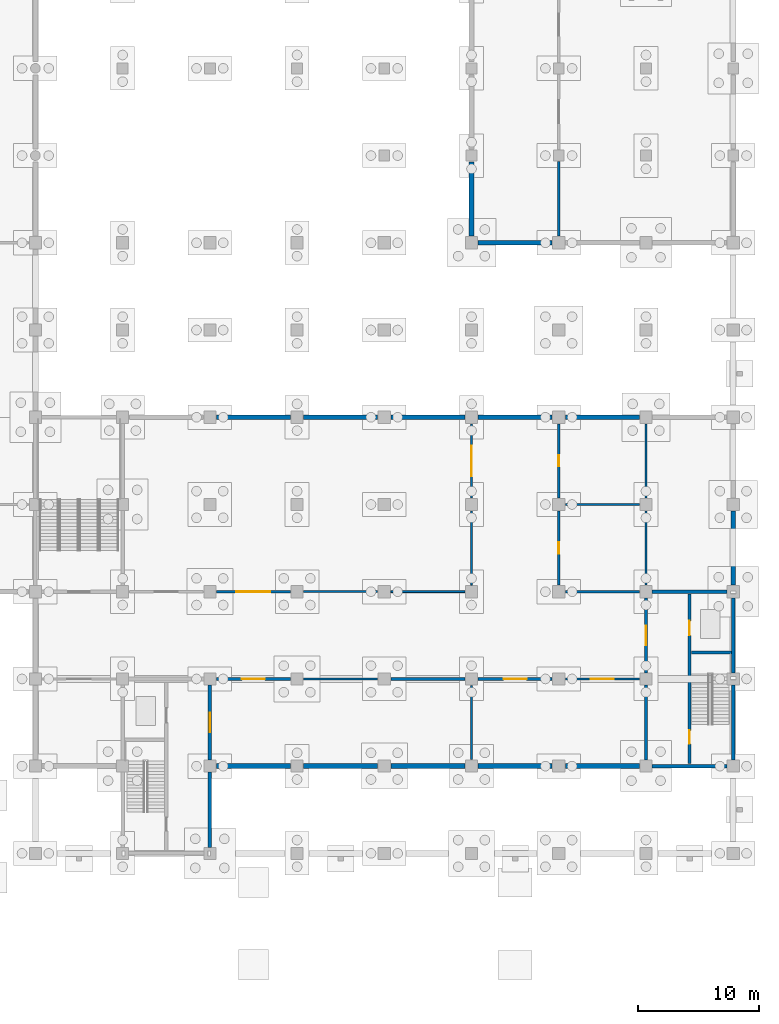
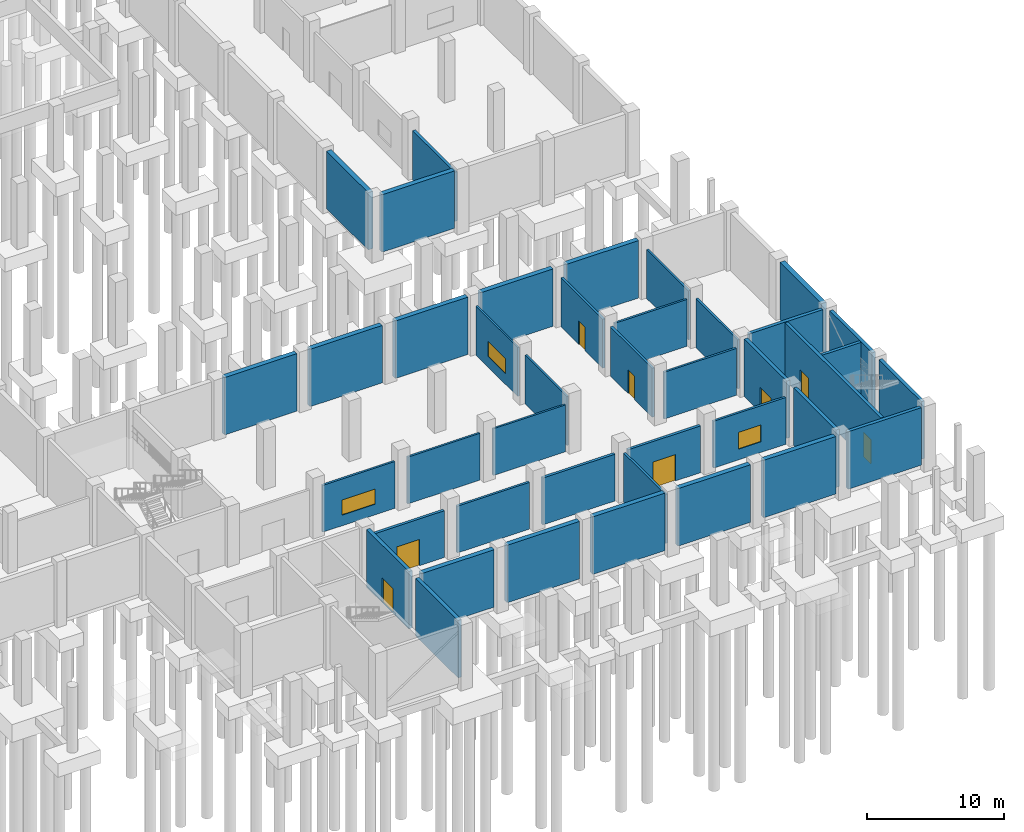
# One storey, part 24 of 35: 41 walls, 8 doors, 3 windows, 11 openings.
"""IFC4 building model written with IfcOpenShell, lengths in metres."""

from ifc_helpers import new_model, si_unit, direction, frame, frame_2d, origin, place, context, subcontext, project, spatial, rectangle, extrude, material, layer, layer_set, type_object, element, fill, save


model = new_model("IFC4")

# Units and contexts
model_context = context("Model", 3, precision=1e-05, world=origin(), true_north=direction((0.0, 1.0)))
body_context = subcontext(model_context, "Body", "Model", "MODEL_VIEW")
ifc_project = project(units=[si_unit("LENGTHUNIT", "METRE"), si_unit("AREAUNIT", "SQUARE_METRE"), si_unit("VOLUMEUNIT", "CUBIC_METRE"), si_unit("PLANEANGLEUNIT", "RADIAN"), si_unit("MASSUNIT", "GRAM", prefix="KILO")], contexts=[model_context])

# Site, building, storey
site_placement = place(None, origin())
site = spatial("IfcSite", under=ifc_project, at=site_placement, CompositionType="ELEMENT")
building_placement = place(site_placement, origin())
building = spatial("IfcBuilding", under=site, at=building_placement, Name="Vesperath Aquatics Centre", CompositionType="ELEMENT")
storey_placement = place(building_placement, frame((0.0, 0.0, -5.39990234375)))
storey = spatial("IfcBuildingStorey", under=building, at=storey_placement, Name="B1", CompositionType="ELEMENT", Elevation=-5.39990234375)

# Wall, opening, door
ifc_material_1 = material(Name="Autoclaved aerated masonry blockwork", Category="masonry")
ifc_layer_1 = layer(ifc_material_1, 0.22998046875)
ifc_layer_set_1 = layer_set([ifc_layer_1], Name="Autoclaved aerated masonry blockwork")
wall_type_1 = type_object("IfcWallType", Name="WL-FW01", PredefinedType="SOLIDWALL", material=ifc_layer_set_1)
wall_1_placement = place(storey_placement, frame((130.14990234375, 14.39990234375, 0.0), z_axis=(0.0, 0.0, 1.0), x_axis=(1.0, 0.0, 0.0)))
wall_1 = element("IfcWall", 1, at=wall_1_placement, inside=storey, type_object=wall_type_1, Name="Interior Partition FW01 B1_OZONE-N1", PredefinedType="SOLIDWALL", context=body_context, shape_type="SweptSolid", body=[
    extrude(rectangle(XDim=6.10009765625, YDim=0.22998046875, at=frame_2d((3.050048828125, 0.0))), origin(), (0.0, 0.0, 1.0), 4.169921875),
])
opening_1_placement = place(wall_1_placement, frame((2.10009765625, 0.0, 0.0)))
opening_1 = element("IfcOpeningElement", 2, at=opening_1_placement, cuts=wall_1, Name="Opening D05", PredefinedType="OPENING", context=body_context, shape_type="SweptSolid", body=[
    extrude(rectangle(XDim=1.89990234375, YDim=2.35009765625, at=frame_2d((0.949951171875, 1.175048828125))), frame((0.0, 0.1298828125, 0.0), z_axis=(0.0, -1.0, 0.0), x_axis=(1.0, 0.0, 0.0)), (0.0, 0.0, 1.0), 0.259765625),
])
ifc_material_2 = material(Name="Plant equipment double fire door", Category="steel")
door_type_1 = type_object("IfcDoorType", Name="DR-FD05", OperationType="DOUBLE_SWING_LEFT", PredefinedType="DOOR", material=ifc_material_2)
door_1_placement = place(opening_1_placement, frame((1.89990234375, 0.0, 0.0), z_axis=(0.0, 0.0, 1.0), x_axis=(-1.0, 0.0, 0.0)))
door_1 = element("IfcDoor", 3, at=door_1_placement, inside=storey, type_object=door_type_1, Name="Ozone and UV Disinfection Plant Door D05", OperationType="DOUBLE_SWING_LEFT", OverallHeight=2.35009765625, OverallWidth=1.89990234375, PredefinedType="DOOR", context=body_context, shape_type="SweptSolid", body=[
    extrude(rectangle(XDim=1.89990234375, YDim=2.35009765625, at=frame_2d((0.949951171875, 1.175048828125))), frame((0.0, 0.02490234375, 0.0), z_axis=(0.0, -1.0, 0.0), x_axis=(1.0, 0.0, 0.0)), (0.0, 0.0, 1.0), 0.050048828125),
])
fill(opening_1, door_1)

# Wall
wall_2_placement = place(storey_placement, frame((144.550048828125, 14.39990234375, 0.0), z_axis=(0.0, 0.0, 1.0), x_axis=(1.0, 0.0, 0.0)))
element("IfcWall", 4, at=wall_2_placement, inside=storey, type_object=wall_type_1, Name="Interior Partition FW01 B1_OZONE-N3", PredefinedType="SOLIDWALL", context=body_context, shape_type="SweptSolid", body=[
    extrude(rectangle(XDim=6.099853515625, YDim=0.22998046875, at=frame_2d((3.0498046875, 0.0))), origin(), (0.0, 0.0, 1.0), 4.169921875),
])

# Wall, opening, door
wall_3_placement = place(storey_placement, frame((151.75, 14.39990234375, 0.0), z_axis=(0.0, 0.0, 1.0), x_axis=(1.0, 0.0, 0.0)))
wall_3 = element("IfcWall", 5, at=wall_3_placement, inside=storey, type_object=wall_type_1, Name="Interior Partition FW01 B1_ELEC-N1", PredefinedType="SOLIDWALL", context=body_context, shape_type="SweptSolid", body=[
    extrude(rectangle(XDim=6.10009765625, YDim=0.22998046875, at=frame_2d((3.050048828125, 0.0))), origin(), (0.0, 0.0, 1.0), 4.169921875),
])
opening_2_placement = place(wall_3_placement, frame((2.10009765625, 0.0, 0.0)))
opening_2 = element("IfcOpeningElement", 6, at=opening_2_placement, cuts=wall_3, Name="Opening D05", PredefinedType="OPENING", context=body_context, shape_type="SweptSolid", body=[
    extrude(rectangle(XDim=1.89990234375, YDim=2.35009765625, at=frame_2d((0.949951171875, 1.175048828125))), frame((0.0, 0.1298828125, 0.0), z_axis=(0.0, -1.0, 0.0), x_axis=(1.0, 0.0, 0.0)), (0.0, 0.0, 1.0), 0.259765625),
])
door_2_placement = place(opening_2_placement, frame((1.89990234375, 0.0, 0.0), z_axis=(0.0, 0.0, 1.0), x_axis=(-1.0, 0.0, 0.0)))
door_2 = element("IfcDoor", 7, at=door_2_placement, inside=storey, type_object=door_type_1, Name="High-Voltage Transformer and Switchgear Hall Door D05", OperationType="DOUBLE_SWING_LEFT", OverallHeight=2.35009765625, OverallWidth=1.89990234375, PredefinedType="DOOR", context=body_context, shape_type="SweptSolid", body=[
    extrude(rectangle(XDim=1.89990234375, YDim=2.35009765625, at=frame_2d((0.949951171875, 1.175048828125))), frame((0.0, 0.02490234375, 0.0), z_axis=(0.0, -1.0, 0.0), x_axis=(1.0, 0.0, 0.0)), (0.0, 0.0, 1.0), 0.050048828125),
])
fill(opening_2, door_2)

# Wall
wall_4_placement = place(storey_placement, frame((158.39990234375, 50.949951171875, 0.0), z_axis=(0.0, 0.0, 1.0), x_axis=(0.0, 1.0, 0.0)))
element("IfcWall", 8, at=wall_4_placement, inside=storey, type_object=wall_type_1, Name="Interior Partition FW01 B1_LINEN-W1", PredefinedType="SOLIDWALL", context=body_context, shape_type="SweptSolid", body=[
    extrude(rectangle(XDim=6.150146484375, YDim=0.22998046875, at=frame_2d((3.0751953125, 0.0))), origin(), (0.0, 0.0, 1.0), 4.369873046875),
])

# Wall, opening, door
ifc_material_3 = material(Name="Wet-village masonry block wall", Category="masonry")
ifc_layer_2 = layer(ifc_material_3, 0.199951171875)
ifc_layer_set_2 = layer_set([ifc_layer_2], Name="Wet-village masonry block wall")
wall_type_2 = type_object("IfcWallType", Name="WL-FW03", PredefinedType="SOLIDWALL", material=ifc_layer_set_2)
wall_5_placement = place(storey_placement, frame((158.39990234375, 22.14990234375, 0.0), z_axis=(0.0, 0.0, 1.0), x_axis=(0.0, 1.0, 0.0)))
wall_5 = element("IfcWall", 9, at=wall_5_placement, inside=storey, type_object=wall_type_2, Name="Interior Partition FW03 B1_MWC-W1", PredefinedType="SOLIDWALL", context=body_context, shape_type="SweptSolid", body=[
    extrude(rectangle(XDim=6.10009765625, YDim=0.199951171875, at=frame_2d((3.050048828125, 0.0))), origin(), (0.0, 0.0, 1.0), 4.369873046875),
])
opening_3_placement = place(wall_5_placement, frame((2.574951171875, 0.0, 0.0)))
opening_3 = element("IfcOpeningElement", 10, at=opening_3_placement, cuts=wall_5, Name="Opening D07", PredefinedType="OPENING", context=body_context, shape_type="SweptSolid", body=[
    extrude(rectangle(XDim=0.949951171875, YDim=2.10009765625, at=frame_2d((0.47509765625, 1.050048828125))), frame((0.0, 0.11474609375, 0.0), z_axis=(0.0, -1.0, 0.0), x_axis=(1.0, 0.0, 0.0)), (0.0, 0.0, 1.0), 0.229736328125),
])
ifc_material_4 = material(Name="Moisture-resistant HPL sanitary door", Category="wood")
door_type_2 = type_object("IfcDoorType", Name="DR-WC02", OperationType="NOTDEFINED", PredefinedType="DOOR", material=ifc_material_4)
door_3_placement = place(opening_3_placement, frame((0.949951171875, 0.0, 0.0), z_axis=(0.0, 0.0, 1.0), x_axis=(-1.0, 0.0, 0.0)))
door_3 = element("IfcDoor", 11, at=door_3_placement, inside=storey, type_object=door_type_2, Name="Staff Male WC B1 Door D07", OperationType="SINGLE_SWING_RIGHT", OverallHeight=2.10009765625, OverallWidth=0.949951171875, PredefinedType="DOOR", context=body_context, shape_type="SweptSolid", body=[
    extrude(rectangle(XDim=0.949951171875, YDim=2.10009765625, at=frame_2d((0.47509765625, 1.050048828125))), frame((0.0, 0.02490234375, 0.0), z_axis=(0.0, -1.0, 0.0), x_axis=(1.0, 0.0, 0.0)), (0.0, 0.0, 1.0), 0.050048828125),
])
fill(opening_3, door_3)

wall_6_placement = place(storey_placement, frame((158.39990234375, 29.35009765625, 0.0), z_axis=(0.0, 0.0, 1.0), x_axis=(0.0, 1.0, 0.0)))
wall_6 = element("IfcWall", 12, at=wall_6_placement, inside=storey, type_object=wall_type_2, Name="Interior Partition FW03 B1_FWC-W1", PredefinedType="SOLIDWALL", context=body_context, shape_type="SweptSolid", body=[
    extrude(rectangle(XDim=6.099853515625, YDim=0.199951171875, at=frame_2d((3.0498046875, 0.0))), origin(), (0.0, 0.0, 1.0), 4.369873046875),
])
opening_4_placement = place(wall_6_placement, frame((2.590087890625, 0.0, 0.0)))
opening_4 = element("IfcOpeningElement", 13, at=opening_4_placement, cuts=wall_6, Name="Opening D08", PredefinedType="OPENING", context=body_context, shape_type="SweptSolid", body=[
    extrude(rectangle(XDim=0.919921875, YDim=2.10009765625, at=frame_2d((0.4599609375, 1.050048828125))), frame((0.0, 0.11474609375, 0.0), z_axis=(0.0, -1.0, 0.0), x_axis=(1.0, 0.0, 0.0)), (0.0, 0.0, 1.0), 0.229736328125),
])
ifc_material_5 = material(Name="Moisture-resistant HPL washroom door", Category="wood")
door_type_3 = type_object("IfcDoorType", Name="DR-WC03", OperationType="NOTDEFINED", PredefinedType="DOOR", material=ifc_material_5)
door_4_placement = place(opening_4_placement, frame((0.919921875, 0.0, 0.0), z_axis=(0.0, 0.0, 1.0), x_axis=(-1.0, 0.0, 0.0)))
door_4 = element("IfcDoor", 14, at=door_4_placement, inside=storey, type_object=door_type_3, Name="Staff Female WC B1 Door D08", OperationType="SINGLE_SWING_LEFT", OverallHeight=2.10009765625, OverallWidth=0.919921875, PredefinedType="DOOR", context=body_context, shape_type="SweptSolid", body=[
    extrude(rectangle(XDim=0.919921875, YDim=2.10009765625, at=frame_2d((0.4599609375, 1.050048828125))), frame((0.0, 0.02490234375, 0.0), z_axis=(0.0, -1.0, 0.0), x_axis=(1.0, 0.0, 0.0)), (0.0, 0.0, 1.0), 0.050048828125),
])
fill(opening_4, door_4)

# Walls
ifc_material_6 = material(Name="Plant acoustic masonry wall", Category="masonry")
ifc_layer_3 = layer(ifc_material_6, 0.18994140625)
ifc_layer_set_3 = layer_set([ifc_layer_3], Name="Plant acoustic masonry wall")
wall_type_3 = type_object("IfcWallType", Name="WL-FW04", PredefinedType="SOLIDWALL", material=ifc_layer_set_3)
wall_7_placement = place(storey_placement, frame((137.35009765625, 14.39990234375, 0.0), z_axis=(0.0, 0.0, 1.0), x_axis=(1.0, 0.0, 0.0)))
element("IfcWall", 15, at=wall_7_placement, inside=storey, type_object=wall_type_3, Name="Interior Partition FW04 B1_OZONE-N2", PredefinedType="SOLIDWALL", context=body_context, shape_type="SweptSolid", body=[
    extrude(rectangle(XDim=6.099853515625, YDim=0.18994140625, at=frame_2d((3.0498046875, 0.0))), origin(), (0.0, 0.0, 1.0), 4.169921875),
])
wall_8_placement = place(storey_placement, frame((151.199951171875, 7.75, 0.0), z_axis=(0.0, 0.0, 1.0), x_axis=(0.0, 1.0, 0.0)))
element("IfcWall", 16, at=wall_8_placement, inside=storey, type_object=wall_type_3, Name="Interior Partition FW04 B1_OZONE-E1", PredefinedType="SOLIDWALL", context=body_context, shape_type="SweptSolid", body=[
    extrude(rectangle(XDim=6.10009765625, YDim=0.18994140625, at=frame_2d((3.050048828125, 0.0))), origin(), (0.0, 0.0, 1.0), 4.369873046875),
])

# Wall, opening, window
wall_9_placement = place(storey_placement, frame((158.949951171875, 14.39990234375, 0.0), z_axis=(0.0, 0.0, 1.0), x_axis=(1.0, 0.0, 0.0)))
wall_9 = element("IfcWall", 17, at=wall_9_placement, inside=storey, type_object=wall_type_3, Name="Interior Partition FW04 B1_ELEC-N2", PredefinedType="SOLIDWALL", context=body_context, shape_type="SweptSolid", body=[
    extrude(rectangle(XDim=6.10009765625, YDim=0.18994140625, at=frame_2d((3.050048828125, 0.0))), origin(), (0.0, 0.0, 1.0), 4.169921875),
])
opening_5_placement = place(wall_9_placement, frame((2.10009765625, 0.0, 0.949951171875)))
opening_5 = element("IfcOpeningElement", 18, at=opening_5_placement, cuts=wall_9, Name="Opening VW04", PredefinedType="OPENING", context=body_context, shape_type="SweptSolid", body=[
    extrude(rectangle(XDim=1.89990234375, YDim=1.5, at=frame_2d((0.949951171875, 0.75))), frame((0.0, 0.10986328125, 0.0), z_axis=(0.0, -1.0, 0.0), x_axis=(1.0, 0.0, 0.0)), (0.0, 0.0, 1.0), 0.2197265625),
])
ifc_material_7 = material(Name="Acoustic laminated interior viewing glazing", Category="glass")
window_type_1 = type_object("IfcWindowType", Name="WN-IW04", PartitioningType="SINGLE_PANEL", PredefinedType="WINDOW", material=ifc_material_7)
window_1_placement = place(opening_5_placement, origin())
window_1 = element("IfcWindow", 19, at=window_1_placement, inside=storey, type_object=window_type_1, Name="Interior Viewing Window VW04 B1_ELEC", OverallHeight=1.5, OverallWidth=1.89990234375, PartitioningType="SINGLE_PANEL", PredefinedType="WINDOW", context=body_context, shape_type="SweptSolid", body=[
    extrude(rectangle(XDim=1.89990234375, YDim=1.5, at=frame_2d((0.949951171875, 0.75))), frame((0.0, 0.030029296875, 0.0), z_axis=(0.0, -1.0, 0.0), x_axis=(1.0, 0.0, 0.0)), (0.0, 0.0, 1.0), 0.06005859375),
])
fill(opening_5, window_1)

ifc_material_8 = material(Name="Moisture-resistant tiled wet partition", Category="gypsum")
ifc_layer_4 = layer(ifc_material_8, 0.175048828125)
ifc_layer_set_4 = layer_set([ifc_layer_4], Name="Moisture-resistant tiled wet partition")
wall_type_4 = type_object("IfcWallType", Name="WL-IW02", PredefinedType="PARTITIONING", material=ifc_layer_set_4)
wall_10_placement = place(storey_placement, frame((130.14990234375, 21.60009765625, 0.0), z_axis=(0.0, 0.0, 1.0), x_axis=(1.0, 0.0, 0.0)))
wall_10 = element("IfcWall", 20, at=wall_10_placement, inside=storey, type_object=wall_type_4, Name="Interior Partition IW02 B1_CHILL-S2", PredefinedType="PARTITIONING", context=body_context, shape_type="SweptSolid", body=[
    extrude(rectangle(XDim=6.10009765625, YDim=0.175048828125, at=frame_2d((3.050048828125, 0.0))), origin(), (0.0, 0.0, 1.0), 4.169921875),
])
opening_6_placement = place(wall_10_placement, frame((1.64990234375, 0.0, 0.949951171875)))
opening_6 = element("IfcOpeningElement", 21, at=opening_6_placement, cuts=wall_10, Name="Opening VW05", PredefinedType="OPENING", context=body_context, shape_type="SweptSolid", body=[
    extrude(rectangle(XDim=2.800048828125, YDim=1.35009765625, at=frame_2d((1.39990234375, 0.675048828125))), frame((0.0, 0.1025390625, 0.0), z_axis=(0.0, -1.0, 0.0), x_axis=(1.0, 0.0, 0.0)), (0.0, 0.0, 1.0), 0.204833984375),
])
window_type_2 = type_object("IfcWindowType", Name="WN-IW05", PartitioningType="SINGLE_PANEL", PredefinedType="WINDOW", material=ifc_material_7)
window_2_placement = place(opening_6_placement, origin())
window_2 = element("IfcWindow", 22, at=window_2_placement, inside=storey, type_object=window_type_2, Name="Interior Viewing Window VW05 B1_CHILL", OverallHeight=1.35009765625, OverallWidth=2.800048828125, PartitioningType="SINGLE_PANEL", PredefinedType="WINDOW", context=body_context, shape_type="SweptSolid", body=[
    extrude(rectangle(XDim=2.800048828125, YDim=1.35009765625, at=frame_2d((1.39990234375, 0.675048828125))), frame((0.0, 0.030029296875, 0.0), z_axis=(0.0, -1.0, 0.0), x_axis=(1.0, 0.0, 0.0)), (0.0, 0.0, 1.0), 0.06005859375),
])
fill(opening_6, window_2)

# Walls
for number, where, z_axis, x_axis, name in (
    (23, (158.949951171875, 21.60009765625, 0.0), (0.0, 0.0, 1.0), (1.0, 0.0, 0.0), "Interior Partition IW02 B1_MWC-S1"),
    (24, (158.949951171875, 28.800048828125, 0.0), (0.0, 0.0, 1.0), (1.0, 0.0, 0.0), "Interior Partition IW02 B1_MWC-N1"),
):
    element("IfcWall", number, at=place(storey_placement, frame(where, z_axis=z_axis, x_axis=x_axis)), inside=storey, type_object=wall_type_4, Name=name, PredefinedType="PARTITIONING", context=body_context, shape_type="SweptSolid", body=[
        extrude(rectangle(XDim=6.10009765625, YDim=0.175048828125, at=frame_2d((3.050048828125, 0.0))), origin(), (0.0, 0.0, 1.0), 4.169921875),
    ])
wall_11_placement = place(storey_placement, frame((165.60009765625, 22.14990234375, 0.0), z_axis=(0.0, 0.0, 1.0), x_axis=(0.0, 1.0, 0.0)))
element("IfcWall", 25, at=wall_11_placement, inside=storey, type_object=wall_type_4, Name="Interior Partition IW02 B1_MWC-E1", PredefinedType="PARTITIONING", context=body_context, shape_type="SweptSolid", body=[
    extrude(rectangle(XDim=6.10009765625, YDim=0.175048828125, at=frame_2d((3.050048828125, 0.0))), origin(), (0.0, 0.0, 1.0), 4.369873046875),
])
wall_12_placement = place(storey_placement, frame((165.60009765625, 29.35009765625, 0.0), z_axis=(0.0, 0.0, 1.0), x_axis=(0.0, 1.0, 0.0)))
element("IfcWall", 26, at=wall_12_placement, inside=storey, type_object=wall_type_4, Name="Interior Partition IW02 B1_FWC-E1", PredefinedType="PARTITIONING", context=body_context, shape_type="SweptSolid", body=[
    extrude(rectangle(XDim=6.099853515625, YDim=0.175048828125, at=frame_2d((3.0498046875, 0.0))), origin(), (0.0, 0.0, 1.0), 4.369873046875),
])
ifc_material_9 = material(Name="Corridor fire-rated gypsum partition", Category="gypsum")
ifc_layer_5 = layer(ifc_material_9, 0.16796875)
ifc_layer_set_5 = layer_set([ifc_layer_5], Name="Corridor fire-rated gypsum partition")
wall_type_5 = type_object("IfcWallType", Name="WL-IW03", PredefinedType="PARTITIONING", material=ifc_layer_set_5)
wall_13_placement = place(storey_placement, frame((137.35009765625, 21.60009765625, 0.0), z_axis=(0.0, 0.0, 1.0), x_axis=(1.0, 0.0, 0.0)))
element("IfcWall", 27, at=wall_13_placement, inside=storey, type_object=wall_type_5, Name="Interior Partition IW03 B1_CHILL-S3", PredefinedType="PARTITIONING", context=body_context, shape_type="SweptSolid", body=[
    extrude(rectangle(XDim=6.099853515625, YDim=0.16796875, at=frame_2d((3.0498046875, 0.0))), origin(), (0.0, 0.0, 1.0), 4.169921875),
])
ifc_material_10 = material(Name="Clinic acoustic partition", Category="gypsum")
ifc_layer_6 = layer(ifc_material_10, 0.159912109375)
ifc_layer_set_6 = layer_set([ifc_layer_6], Name="Clinic acoustic partition")
wall_type_6 = type_object("IfcWallType", Name="WL-IW04", PredefinedType="PARTITIONING", material=ifc_layer_set_6)
wall_14_placement = place(storey_placement, frame((144.550048828125, 21.60009765625, 0.0), z_axis=(0.0, 0.0, 1.0), x_axis=(1.0, 0.0, 0.0)))
element("IfcWall", 28, at=wall_14_placement, inside=storey, type_object=wall_type_6, Name="Interior Partition IW04 B1_CHILL-S4", PredefinedType="PARTITIONING", context=body_context, shape_type="SweptSolid", body=[
    extrude(rectangle(XDim=6.099853515625, YDim=0.159912109375, at=frame_2d((3.0498046875, 0.0))), origin(), (0.0, 0.0, 1.0), 4.169921875),
])
ifc_material_11 = material(Name="Laboratory clean partition", Category="gypsum")
ifc_layer_7 = layer(ifc_material_11, 0.152099609375)
ifc_layer_set_7 = layer_set([ifc_layer_7], Name="Laboratory clean partition")
wall_type_7 = type_object("IfcWallType", Name="WL-IW05", PredefinedType="PARTITIONING", material=ifc_layer_set_7)
wall_15_placement = place(storey_placement, frame((151.199951171875, 22.14990234375, 0.0), z_axis=(0.0, 0.0, 1.0), x_axis=(0.0, 1.0, 0.0)))
element("IfcWall", 29, at=wall_15_placement, inside=storey, type_object=wall_type_7, Name="Interior Partition IW05 B1_CHILL-E1", PredefinedType="PARTITIONING", context=body_context, shape_type="SweptSolid", body=[
    extrude(rectangle(XDim=6.10009765625, YDim=0.152099609375, at=frame_2d((3.050048828125, 0.0))), origin(), (0.0, 0.0, 1.0), 4.369873046875),
])

# Wall, opening, window
ifc_material_12 = material(Name="Classroom acoustic partition", Category="gypsum")
ifc_layer_8 = layer(ifc_material_12, 0.14501953125)
ifc_layer_set_8 = layer_set([ifc_layer_8], Name="Classroom acoustic partition")
wall_type_8 = type_object("IfcWallType", Name="WL-IW06", PredefinedType="PARTITIONING", material=ifc_layer_set_8)
wall_16_placement = place(storey_placement, frame((151.199951171875, 29.35009765625, 0.0), z_axis=(0.0, 0.0, 1.0), x_axis=(0.0, 1.0, 0.0)))
wall_16 = element("IfcWall", 30, at=wall_16_placement, inside=storey, type_object=wall_type_8, Name="Interior Partition IW06 B1_CHILL-E2", PredefinedType="PARTITIONING", context=body_context, shape_type="SweptSolid", body=[
    extrude(rectangle(XDim=6.099853515625, YDim=0.14501953125, at=frame_2d((3.0498046875, 0.0))), origin(), (0.0, 0.0, 1.0), 4.369873046875),
])
opening_7_placement = place(wall_16_placement, frame((1.800048828125, 0.0, 0.949951171875)))
opening_7 = element("IfcOpeningElement", 31, at=opening_7_placement, cuts=wall_16, Name="Opening VW06", PredefinedType="OPENING", context=body_context, shape_type="SweptSolid", body=[
    extrude(rectangle(XDim=2.5, YDim=1.35009765625, at=frame_2d((1.25, 0.675048828125))), frame((0.0, 0.08740234375, 0.0), z_axis=(0.0, -1.0, 0.0), x_axis=(1.0, 0.0, 0.0)), (0.0, 0.0, 1.0), 0.1748046875),
])
window_type_3 = type_object("IfcWindowType", Name="WN-IW06", PartitioningType="SINGLE_PANEL", PredefinedType="WINDOW", material=ifc_material_7)
window_3_placement = place(opening_7_placement, origin())
window_3 = element("IfcWindow", 32, at=window_3_placement, inside=storey, type_object=window_type_3, Name="Interior Viewing Window VW06 B1_CHILL", OverallHeight=1.35009765625, OverallWidth=2.5, PartitioningType="SINGLE_PANEL", PredefinedType="WINDOW", context=body_context, shape_type="SweptSolid", body=[
    extrude(rectangle(XDim=2.5, YDim=1.35009765625, at=frame_2d((1.25, 0.675048828125))), frame((0.0, 0.030029296875, 0.0), z_axis=(0.0, -1.0, 0.0), x_axis=(1.0, 0.0, 0.0)), (0.0, 0.0, 1.0), 0.06005859375),
])
fill(opening_7, window_3)

# Walls
ifc_material_13 = material(Name="Concrete C40", Category="concrete")
ifc_layer_9 = layer(ifc_material_13, 0.39990234375)
ifc_layer_set_9 = layer_set([ifc_layer_9], Name="Concrete C40")
wall_type_9 = type_object("IfcWallType", Name="WL-RW01", PredefinedType="USERDEFINED", material=ifc_layer_set_9)
wall_17_placement = place(storey_placement, frame((130.14990234375, 7.199951171875, 0.0), z_axis=(0.0, 0.0, 1.0), x_axis=(1.0, 0.0, 0.0)))
element("IfcWall", 33, at=wall_17_placement, inside=storey, type_object=wall_type_9, Name="Basement Retaining Wall RW01-H002", ObjectType="RETAININGWALL", PredefinedType="USERDEFINED", context=body_context, shape_type="SweptSolid", body=[
    extrude(rectangle(XDim=6.10009765625, YDim=0.39990234375, at=frame_2d((3.050048828125, 0.0))), origin(), (0.0, 0.0, 1.0), 5.119873046875),
])
for number, where, z_axis, x_axis, name in (
    (34, (137.35009765625, 7.199951171875, 0.0), (0.0, 0.0, 1.0), (1.0, 0.0, 0.0), "Basement Retaining Wall RW01-H003"),
    (35, (144.550048828125, 7.199951171875, 0.0), (0.0, 0.0, 1.0), (1.0, 0.0, 0.0), "Basement Retaining Wall RW01-H004"),
):
    element("IfcWall", number, at=place(storey_placement, frame(where, z_axis=z_axis, x_axis=x_axis)), inside=storey, type_object=wall_type_9, Name=name, ObjectType="RETAININGWALL", PredefinedType="USERDEFINED", context=body_context, shape_type="SweptSolid", body=[
        extrude(rectangle(XDim=6.099853515625, YDim=0.39990234375, at=frame_2d((3.0498046875, 0.0))), origin(), (0.0, 0.0, 1.0), 5.119873046875),
    ])
for number, where, z_axis, x_axis, name in (
    (36, (151.75, 7.199951171875, 0.0), (0.0, 0.0, 1.0), (1.0, 0.0, 0.0), "Basement Retaining Wall RW01-H005"),
    (37, (158.949951171875, 7.199951171875, 0.0), (0.0, 0.0, 1.0), (1.0, 0.0, 0.0), "Basement Retaining Wall RW01-H006"),
    (38, (130.14990234375, 36.0, 0.0), (0.0, 0.0, 1.0), (1.0, 0.0, 0.0), "Basement Retaining Wall RW01-H032"),
):
    element("IfcWall", number, at=place(storey_placement, frame(where, z_axis=z_axis, x_axis=x_axis)), inside=storey, type_object=wall_type_9, Name=name, ObjectType="RETAININGWALL", PredefinedType="USERDEFINED", context=body_context, shape_type="SweptSolid", body=[
        extrude(rectangle(XDim=6.10009765625, YDim=0.39990234375, at=frame_2d((3.050048828125, 0.0))), origin(), (0.0, 0.0, 1.0), 5.119873046875),
    ])
for number, where, z_axis, x_axis, name in (
    (39, (137.35009765625, 36.0, 0.0), (0.0, 0.0, 1.0), (1.0, 0.0, 0.0), "Basement Retaining Wall RW01-H033"),
    (40, (144.550048828125, 36.0, 0.0), (0.0, 0.0, 1.0), (1.0, 0.0, 0.0), "Basement Retaining Wall RW01-H034"),
):
    element("IfcWall", number, at=place(storey_placement, frame(where, z_axis=z_axis, x_axis=x_axis)), inside=storey, type_object=wall_type_9, Name=name, ObjectType="RETAININGWALL", PredefinedType="USERDEFINED", context=body_context, shape_type="SweptSolid", body=[
        extrude(rectangle(XDim=6.099853515625, YDim=0.39990234375, at=frame_2d((3.0498046875, 0.0))), origin(), (0.0, 0.0, 1.0), 5.119873046875),
    ])
for number, where, z_axis, x_axis, name in (
    (41, (151.75, 36.0, 0.0), (0.0, 0.0, 1.0), (1.0, 0.0, 0.0), "Basement Retaining Wall RW01-H035"),
    (42, (158.949951171875, 36.0, 0.0), (0.0, 0.0, 1.0), (1.0, 0.0, 0.0), "Basement Retaining Wall RW01-H036"),
    (43, (151.75, 50.39990234375, 0.0), (0.0, 0.0, 1.0), (1.0, 0.0, 0.0), "Basement Retaining Wall RW01-H038"),
    (44, (151.199951171875, 50.949951171875, 0.0), (0.0, 0.0, 1.0), (0.0, 1.0, 0.0), "Basement Retaining Wall RW01-V072"),
    (45, (172.800048828125, 22.14990234375, 0.0), (0.0, 0.0, 1.0), (0.0, 1.0, 0.0), "Basement Retaining Wall RW01-V078"),
):
    element("IfcWall", number, at=place(storey_placement, frame(where, z_axis=z_axis, x_axis=x_axis)), inside=storey, type_object=wall_type_9, Name=name, ObjectType="RETAININGWALL", PredefinedType="USERDEFINED", context=body_context, shape_type="SweptSolid", body=[
        extrude(rectangle(XDim=6.10009765625, YDim=0.39990234375, at=frame_2d((3.050048828125, 0.0))), origin(), (0.0, 0.0, 1.0), 5.119873046875),
    ])
ifc_layer_10 = layer(ifc_material_13, 0.300048828125)
ifc_layer_set_10 = layer_set([ifc_layer_10], Name="Concrete C40")
wall_type_10 = type_object("IfcWallType", Name="WL-SW01", PredefinedType="SHEAR", material=ifc_layer_set_10)
wall_18_placement = place(storey_placement, frame((129.60009765625, 0.5, 0.0), z_axis=(0.0, 0.0, 1.0), x_axis=(0.0, 1.0, 0.0)))
element("IfcWall", 46, at=wall_18_placement, inside=storey, type_object=wall_type_10, Name="Core C5 East-1 Shear Wall SW01 B1", PredefinedType="SHEAR", context=body_context, shape_type="SweptSolid", body=[
    extrude(rectangle(XDim=6.199951171875, YDim=0.300048828125, at=frame_2d((3.10009765625, 0.0))), origin(), (0.0, 0.0, 1.0), 5.119873046875),
])

# Wall, opening, door
wall_19_placement = place(storey_placement, frame((129.60009765625, 7.699951171875, 0.0), z_axis=(0.0, 0.0, 1.0), x_axis=(0.0, 1.0, 0.0)))
wall_19 = element("IfcWall", 47, at=wall_19_placement, inside=storey, type_object=wall_type_10, Name="Core C5 East-2 Shear Wall SW01 B1", PredefinedType="SHEAR", context=body_context, shape_type="SweptSolid", body=[
    extrude(rectangle(XDim=6.199951171875, YDim=0.300048828125, at=frame_2d((3.10009765625, 0.0))), origin(), (0.0, 0.0, 1.0), 5.119873046875),
])
opening_8_placement = place(wall_19_placement, frame((2.300048828125, 0.0, 0.0)))
opening_8 = element("IfcOpeningElement", 48, at=opening_8_placement, cuts=wall_19, Name="Opening D02", PredefinedType="OPENING", context=body_context, shape_type="SweptSolid", body=[
    extrude(rectangle(XDim=1.60009765625, YDim=2.199951171875, at=frame_2d((0.800048828125, 1.10009765625))), frame((0.0, 0.1650390625, 0.0), z_axis=(0.0, -1.0, 0.0), x_axis=(1.0, 0.0, 0.0)), (0.0, 0.0, 1.0), 0.329833984375),
])
ifc_material_14 = material(Name="Glazed fire-rated lobby double door", Category="steel")
door_type_4 = type_object("IfcDoorType", Name="DR-FD02", OperationType="DOUBLE_SWING_LEFT", PredefinedType="DOOR", material=ifc_material_14)
door_5_placement = place(opening_8_placement, frame((1.60009765625, 0.0, 0.0), z_axis=(0.0, 0.0, 1.0), x_axis=(-1.0, 0.0, 0.0)))
door_5 = element("IfcDoor", 49, at=door_5_placement, inside=storey, type_object=door_type_4, Name="Core C5 Lobby Fire Door D02 B1", OperationType="DOUBLE_SWING_LEFT", OverallHeight=2.199951171875, OverallWidth=1.60009765625, PredefinedType="DOOR", context=body_context, shape_type="SweptSolid", body=[
    extrude(rectangle(XDim=1.60009765625, YDim=2.199951171875, at=frame_2d((0.800048828125, 1.10009765625))), frame((0.0, 0.02490234375, 0.0), z_axis=(0.0, -1.0, 0.0), x_axis=(1.0, 0.0, 0.0)), (0.0, 0.0, 1.0), 0.050048828125),
])
fill(opening_8, door_5)

# Walls
ifc_layer_11 = layer(ifc_material_13, 0.280029296875)
ifc_layer_set_11 = layer_set([ifc_layer_11], Name="Concrete C40")
wall_type_11 = type_object("IfcWallType", Name="WL-SW02", PredefinedType="SHEAR", material=ifc_layer_set_11)
for number, where, z_axis, x_axis, name in (
    (50, (166.10009765625, 7.199951171875, 0.0), (0.0, 0.0, 1.0), (1.0, 0.0, 0.0), "Core C6 South Shear Wall SW02 B1"),
    (51, (166.10009765625, 21.60009765625, 0.0), (0.0, 0.0, 1.0), (1.0, 0.0, 0.0), "Core C6 North Shear Wall SW02 B1"),
    (52, (165.60009765625, 7.699951171875, 0.0), (0.0, 0.0, 1.0), (0.0, 1.0, 0.0), "Core C6 West-1 Shear Wall SW02 B1"),
):
    element("IfcWall", number, at=place(storey_placement, frame(where, z_axis=z_axis, x_axis=x_axis)), inside=storey, type_object=wall_type_11, Name=name, PredefinedType="SHEAR", context=body_context, shape_type="SweptSolid", body=[
        extrude(rectangle(XDim=6.199951171875, YDim=0.280029296875, at=frame_2d((3.10009765625, 0.0))), origin(), (0.0, 0.0, 1.0), 5.119873046875),
    ])

# Wall, opening, door
wall_20_placement = place(storey_placement, frame((165.60009765625, 14.89990234375, 0.0), z_axis=(0.0, 0.0, 1.0), x_axis=(0.0, 1.0, 0.0)))
wall_20 = element("IfcWall", 53, at=wall_20_placement, inside=storey, type_object=wall_type_11, Name="Core C6 West-2 Shear Wall SW02 B1", PredefinedType="SHEAR", context=body_context, shape_type="SweptSolid", body=[
    extrude(rectangle(XDim=6.2001953125, YDim=0.280029296875, at=frame_2d((3.10009765625, 0.0))), origin(), (0.0, 0.0, 1.0), 5.119873046875),
])
opening_9_placement = place(wall_20_placement, frame((2.300048828125, 0.0, 0.0)))
opening_9 = element("IfcOpeningElement", 54, at=opening_9_placement, cuts=wall_20, Name="Opening D02", PredefinedType="OPENING", context=body_context, shape_type="SweptSolid", body=[
    extrude(rectangle(XDim=1.60009765625, YDim=2.199951171875, at=frame_2d((0.800048828125, 1.10009765625))), frame((0.0, 0.15478515625, 0.0), z_axis=(0.0, -1.0, 0.0), x_axis=(1.0, 0.0, 0.0)), (0.0, 0.0, 1.0), 0.309814453125),
])
door_6_placement = place(opening_9_placement, origin())
door_6 = element("IfcDoor", 55, at=door_6_placement, inside=storey, type_object=door_type_4, Name="Core C6 Lobby Fire Door D02 B1", OperationType="DOUBLE_SWING_LEFT", OverallHeight=2.199951171875, OverallWidth=1.60009765625, PredefinedType="DOOR", context=body_context, shape_type="SweptSolid", body=[
    extrude(rectangle(XDim=1.60009765625, YDim=2.199951171875, at=frame_2d((0.800048828125, 1.10009765625))), frame((0.0, 0.02490234375, 0.0), z_axis=(0.0, -1.0, 0.0), x_axis=(1.0, 0.0, 0.0)), (0.0, 0.0, 1.0), 0.050048828125),
])
fill(opening_9, door_6)

# Walls
wall_21_placement = place(storey_placement, frame((172.800048828125, 7.699951171875, 0.0), z_axis=(0.0, 0.0, 1.0), x_axis=(0.0, 1.0, 0.0)))
element("IfcWall", 56, at=wall_21_placement, inside=storey, type_object=wall_type_11, Name="Core C6 East-1 Shear Wall SW02 B1", PredefinedType="SHEAR", context=body_context, shape_type="SweptSolid", body=[
    extrude(rectangle(XDim=6.199951171875, YDim=0.280029296875, at=frame_2d((3.10009765625, 0.0))), origin(), (0.0, 0.0, 1.0), 5.119873046875),
])
wall_22_placement = place(storey_placement, frame((172.800048828125, 14.89990234375, 0.0), z_axis=(0.0, 0.0, 1.0), x_axis=(0.0, 1.0, 0.0)))
element("IfcWall", 57, at=wall_22_placement, inside=storey, type_object=wall_type_11, Name="Core C6 East-2 Shear Wall SW02 B1", PredefinedType="SHEAR", context=body_context, shape_type="SweptSolid", body=[
    extrude(rectangle(XDim=6.2001953125, YDim=0.280029296875, at=frame_2d((3.10009765625, 0.0))), origin(), (0.0, 0.0, 1.0), 5.119873046875),
])

# Wall, openings, doors
ifc_layer_12 = layer(ifc_material_13, 0.260009765625)
ifc_layer_set_12 = layer_set([ifc_layer_12], Name="Concrete C40")
wall_type_12 = type_object("IfcWallType", Name="WL-SW03", PredefinedType="SHEAR", material=ifc_layer_set_12)
wall_23_placement = place(storey_placement, frame((169.199951171875, 7.39990234375, 0.0), z_axis=(0.0, 0.0, 1.0), x_axis=(0.0, 1.0, 0.0)))
wall_23 = element("IfcWall", 58, at=wall_23_placement, inside=storey, type_object=wall_type_12, Name="Core C6 Spine Shear Wall SW03 B1", PredefinedType="SHEAR", context=body_context, shape_type="SweptSolid", body=[
    extrude(rectangle(XDim=14.0, YDim=0.260009765625, at=frame_2d((7.0, 0.0))), origin(), (0.0, 0.0, 1.0), 5.119873046875),
])
opening_10_placement = place(wall_23_placement, frame((1.64990234375, 0.0, 0.0)))
opening_10 = element("IfcOpeningElement", 59, at=opening_10_placement, cuts=wall_23, Name="Opening D01", PredefinedType="OPENING", context=body_context, shape_type="SweptSolid", body=[
    extrude(rectangle(XDim=1.10009765625, YDim=2.14990234375, at=frame_2d((0.550048828125, 1.074951171875))), frame((0.0, 0.14501953125, 0.0), z_axis=(0.0, -1.0, 0.0), x_axis=(1.0, 0.0, 0.0)), (0.0, 0.0, 1.0), 0.289794921875),
])
opening_11_placement = place(wall_23_placement, frame((10.60009765625, 0.0, 0.0)))
opening_11 = element("IfcOpeningElement", 60, at=opening_11_placement, cuts=wall_23, Name="Opening LD03", PredefinedType="OPENING", context=body_context, shape_type="SweptSolid", body=[
    extrude(rectangle(XDim=1.199951171875, YDim=2.25, at=frame_2d((0.60009765625, 1.125))), frame((0.0, 0.14501953125, 0.0), z_axis=(0.0, -1.0, 0.0), x_axis=(1.0, 0.0, 0.0)), (0.0, 0.0, 1.0), 0.289794921875),
])
ifc_material_15 = material(Name="Steel-faced acoustic fire door", Category="steel")
door_type_5 = type_object("IfcDoorType", Name="DR-FD01", OperationType="NOTDEFINED", PredefinedType="DOOR", material=ifc_material_15)
door_7_placement = place(opening_10_placement, frame((1.10009765625, 0.0, 0.0), z_axis=(0.0, 0.0, 1.0), x_axis=(-1.0, 0.0, 0.0)))
door_7 = element("IfcDoor", 61, at=door_7_placement, inside=storey, type_object=door_type_5, Name="Stair ST6 Fire Door D01 B1", OperationType="SINGLE_SWING_LEFT", OverallHeight=2.14990234375, OverallWidth=1.10009765625, PredefinedType="DOOR", context=body_context, shape_type="SweptSolid", body=[
    extrude(rectangle(XDim=1.10009765625, YDim=2.14990234375, at=frame_2d((0.550048828125, 1.074951171875))), frame((0.0, 0.02490234375, 0.0), z_axis=(0.0, -1.0, 0.0), x_axis=(1.0, 0.0, 0.0)), (0.0, 0.0, 1.0), 0.050048828125),
])
fill(opening_10, door_7)
ifc_material_16 = material(Name="Firefighting stainless lift landing door", Category="steel")
door_type_6 = type_object("IfcDoorType", Name="DR-LD03", OperationType="SLIDING_TO_LEFT", PredefinedType="DOOR", material=ifc_material_16)
door_8_placement = place(opening_11_placement, origin())
door_8 = element("IfcDoor", 62, at=door_8_placement, inside=storey, type_object=door_type_6, Name="Lift LFT-FF2 Sliding Landing Door LD03 B1", OperationType="SLIDING_TO_LEFT", OverallHeight=2.25, OverallWidth=1.199951171875, PredefinedType="DOOR", context=body_context, shape_type="SweptSolid", body=[
    extrude(rectangle(XDim=1.199951171875, YDim=2.25, at=frame_2d((0.60009765625, 1.125))), frame((0.0, 0.02490234375, 0.0), z_axis=(0.0, -1.0, 0.0), x_axis=(1.0, 0.0, 0.0)), (0.0, 0.0, 1.0), 0.050048828125),
])
fill(opening_11, door_8)

# Wall
ifc_layer_13 = layer(ifc_material_13, 0.25)
ifc_layer_set_13 = layer_set([ifc_layer_13], Name="Concrete C40")
wall_type_13 = type_object("IfcWallType", Name="WL-SW04", PredefinedType="SHEAR", material=ifc_layer_set_13)
wall_24_placement = place(storey_placement, frame((169.340087890625, 16.580078125, 0.0), z_axis=(0.0, 0.0, 1.0), x_axis=(1.0, 0.0, 0.0)))
element("IfcWall", 63, at=wall_24_placement, inside=storey, type_object=wall_type_13, Name="Core C6 Lift Shaft Wall SW04 B1", PredefinedType="SHEAR", context=body_context, shape_type="SweptSolid", body=[
    extrude(rectangle(XDim=3.2998046875, YDim=0.25, at=frame_2d((1.64990234375, 0.0))), origin(), (0.0, 0.0, 1.0), 5.119873046875),
])

save(model, "model.ifc")
